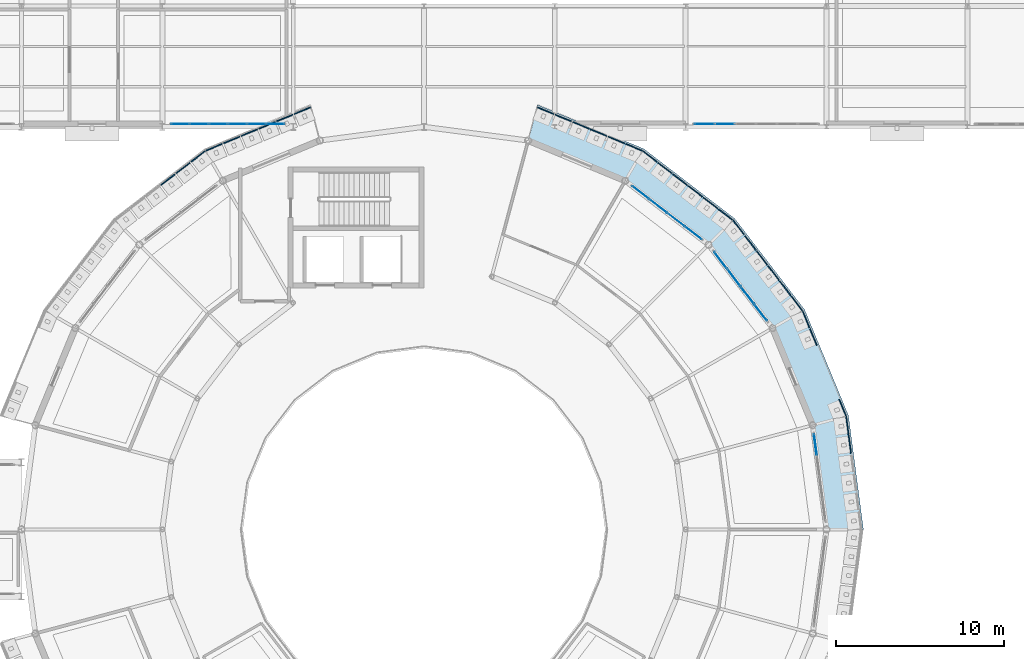
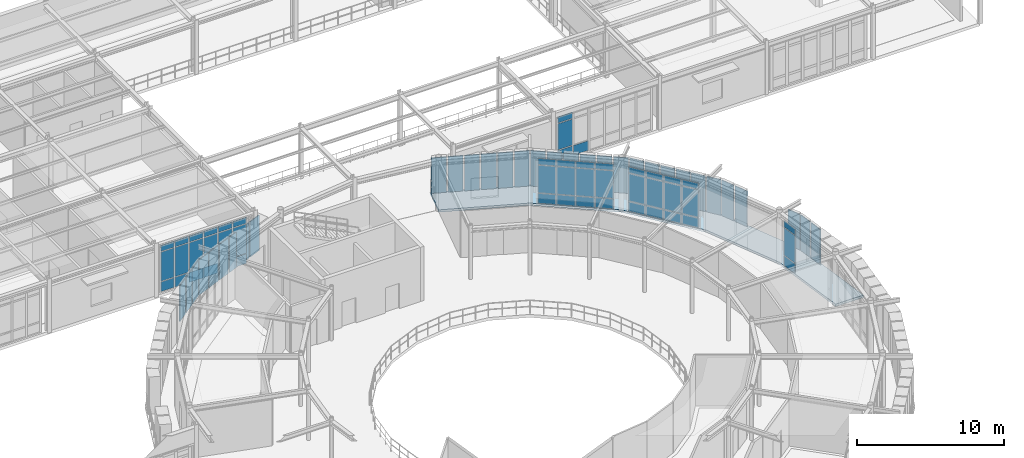
# One storey, part 74 of 106: 81 plates, 1 slab, 5 elements without a shape of their own.
"""IFC4 building model written with IfcOpenShell, lengths in metres."""

from ifc_helpers import new_model, si_unit, derived_unit, direction, frame, origin, origin_2d, place, context, subcontext, project, spatial, polyline, rectangle, outline, extrude, material, layer, layer_set, type_object, element, aggregate, save


model = new_model("IFC4")

# Units and contexts
model_context = context("Model", 3, precision=1e-05, world=origin(), true_north=direction((0.0, 1.0)))
body_context = subcontext(model_context, "Body", "Model", "MODEL_VIEW")
ifc_project = project(units=[si_unit("LENGTHUNIT", "METRE"), si_unit("AREAUNIT", "SQUARE_METRE"), si_unit("VOLUMEUNIT", "CUBIC_METRE"), si_unit("PLANEANGLEUNIT", "RADIAN"), si_unit("MASSUNIT", "GRAM", prefix="KILO"), derived_unit("THERMALTRANSMITTANCEUNIT", [(si_unit("POWERUNIT", "WATT"), 1), (si_unit("AREAUNIT", "SQUARE_METRE"), -1), (si_unit("THERMODYNAMICTEMPERATUREUNIT", "KELVIN"), -1)])], contexts=[model_context])

# Site, building, storey
site_placement = place(None, origin())
site = spatial("IfcSite", under=ifc_project, at=site_placement, CompositionType="ELEMENT")
building_placement = place(site_placement, origin())
building = spatial("IfcBuilding", under=site, at=building_placement, Name="Yasenodar Specialist Clinic", CompositionType="ELEMENT")
storey_placement = place(building_placement, frame((0.0, 0.0, 4.5)))
storey = spatial("IfcBuildingStorey", under=building, at=storey_placement, Name="L01", CompositionType="ELEMENT", Elevation=4.5)

# Curtain wall, plates
ifc_material_1 = material(Name="Bronze Anodized Aluminium and Triple Low-E Glass", Category="aluminium")
ifc_layer_1 = layer(ifc_material_1, 0.1669921875)
ifc_layer_set_1 = layer_set([ifc_layer_1], Name="Bronze Anodized Aluminium and Triple Low-E Glass")
curtain_wall_type_1 = type_object("IfcCurtainWallType", Name="CW-SYS-01", PredefinedType="USERDEFINED", material=ifc_layer_set_1)
curtain_wall_1_placement = place(storey_placement, origin())
curtain_wall_1 = element("IfcCurtainWall", 1, at=curtain_wall_1_placement, inside=storey, type_object=curtain_wall_type_1, Name="L01 Unitised Curtain Wall 016", ObjectType="UNITISED CURTAIN WALL", PredefinedType="USERDEFINED")
ifc_material_2 = material(Name="Triple Low-E Argon Glazing", Category="glass")
ifc_layer_2 = layer(ifc_material_2, 0.028076171875)
ifc_layer_set_2 = layer_set([ifc_layer_2], Name="Triple Low-E Argon Glazing")
plate_type_1 = type_object("IfcPlateType", Name="CW-PAN-1", PredefinedType="CURTAIN_PANEL", material=ifc_layer_set_2)
plate_1_placement = place(storey_placement, frame((93.9189453125, 78.879638671875, 0.06005859375), z_axis=(0.0, 0.0, 1.0), x_axis=(0.793360558574, -0.608752021844, 0.0)))
plate_1 = element("IfcPlate", 2, at=plate_1_placement, type_object=plate_type_1, Name="CW-01 panel 1.1", PredefinedType="CURTAIN_PANEL", context=body_context, shape_type="SweptSolid", body=[
    extrude(rectangle(XDim=1.236328125, YDim=0.028076171875, at=origin_2d()), origin(), (0.0, 0.0, 1.0), 0.81005859375),
])
plate_2_placement = place(storey_placement, frame((93.9189453125, 78.879638671875, 0.93017578125), z_axis=(0.0, 0.0, 1.0), x_axis=(0.793360558574, -0.608752021844, 0.0)))
plate_2 = element("IfcPlate", 3, at=plate_2_placement, type_object=plate_type_1, Name="CW-01 panel 1.2", PredefinedType="CURTAIN_PANEL", context=body_context, shape_type="SweptSolid", body=[
    extrude(rectangle(XDim=1.236328125, YDim=0.028076171875, at=origin_2d()), origin(), (0.0, 0.0, 1.0), 2.278076171875),
])
plate_3_placement = place(storey_placement, frame((93.9189453125, 78.879638671875, 3.26806640625), z_axis=(0.0, 0.0, 1.0), x_axis=(0.793360558574, -0.608752021844, 0.0)))
plate_3 = element("IfcPlate", 4, at=plate_3_placement, type_object=plate_type_1, Name="CW-01 panel 1.3", PredefinedType="CURTAIN_PANEL", context=body_context, shape_type="SweptSolid", body=[
    extrude(rectangle(XDim=1.236328125, YDim=0.028076171875, at=origin_2d()), origin(), (0.0, 0.0, 1.0), 0.510009765625),
])
plate_4_placement = place(storey_placement, frame((94.959228515625, 78.081298828125, 0.06005859375), z_axis=(0.0, 0.0, 1.0), x_axis=(0.793360558574, -0.608752021844, 0.0)))
plate_4 = element("IfcPlate", 5, at=plate_4_placement, type_object=plate_type_1, Name="CW-01 panel 2.1", PredefinedType="CURTAIN_PANEL", context=body_context, shape_type="SweptSolid", body=[
    extrude(rectangle(XDim=1.266357421875, YDim=0.028076171875, at=origin_2d()), origin(), (0.0, 0.0, 1.0), 0.81005859375),
])
plate_5_placement = place(storey_placement, frame((94.959228515625, 78.081298828125, 0.93017578125), z_axis=(0.0, 0.0, 1.0), x_axis=(0.793360558574, -0.608752021844, 0.0)))
plate_5 = element("IfcPlate", 6, at=plate_5_placement, type_object=plate_type_1, Name="CW-01 panel 2.2", PredefinedType="CURTAIN_PANEL", context=body_context, shape_type="SweptSolid", body=[
    extrude(rectangle(XDim=1.266357421875, YDim=0.028076171875, at=origin_2d()), origin(), (0.0, 0.0, 1.0), 2.278076171875),
])
plate_6_placement = place(storey_placement, frame((94.959228515625, 78.081298828125, 3.26806640625), z_axis=(0.0, 0.0, 1.0), x_axis=(0.793360558574, -0.608752021844, 0.0)))
plate_6 = element("IfcPlate", 7, at=plate_6_placement, type_object=plate_type_1, Name="CW-01 panel 2.3", PredefinedType="CURTAIN_PANEL", context=body_context, shape_type="SweptSolid", body=[
    extrude(rectangle(XDim=1.266357421875, YDim=0.028076171875, at=origin_2d()), origin(), (0.0, 0.0, 1.0), 0.510009765625),
])
plate_7_placement = place(storey_placement, frame((96.011474609375, 77.27392578125, 0.06005859375), z_axis=(0.0, 0.0, 1.0), x_axis=(0.793360558574, -0.608752021844, 0.0)))
plate_7 = element("IfcPlate", 8, at=plate_7_placement, type_object=plate_type_1, Name="CW-01 panel 3.1", PredefinedType="CURTAIN_PANEL", context=body_context, shape_type="SweptSolid", body=[
    extrude(rectangle(XDim=1.266357421875, YDim=0.028076171875, at=origin_2d()), origin(), (0.0, 0.0, 1.0), 0.81005859375),
])
plate_8_placement = place(storey_placement, frame((96.011474609375, 77.27392578125, 0.93017578125), z_axis=(0.0, 0.0, 1.0), x_axis=(0.793360558574, -0.608752021844, 0.0)))
plate_8 = element("IfcPlate", 9, at=plate_8_placement, type_object=plate_type_1, Name="CW-01 panel 3.2", PredefinedType="CURTAIN_PANEL", context=body_context, shape_type="SweptSolid", body=[
    extrude(rectangle(XDim=1.266357421875, YDim=0.028076171875, at=origin_2d()), origin(), (0.0, 0.0, 1.0), 2.278076171875),
])
plate_9_placement = place(storey_placement, frame((96.011474609375, 77.27392578125, 3.26806640625), z_axis=(0.0, 0.0, 1.0), x_axis=(0.793360558574, -0.608752021844, 0.0)))
plate_9 = element("IfcPlate", 10, at=plate_9_placement, type_object=plate_type_1, Name="CW-01 panel 3.3", PredefinedType="CURTAIN_PANEL", context=body_context, shape_type="SweptSolid", body=[
    extrude(rectangle(XDim=1.266357421875, YDim=0.028076171875, at=origin_2d()), origin(), (0.0, 0.0, 1.0), 0.510009765625),
])
plate_10_placement = place(storey_placement, frame((97.0517578125, 76.4755859375, 0.06005859375), z_axis=(0.0, 0.0, 1.0), x_axis=(0.793360558574, -0.608752021844, 0.0)))
plate_10 = element("IfcPlate", 11, at=plate_10_placement, type_object=plate_type_1, Name="CW-01 panel 4.1", PredefinedType="CURTAIN_PANEL", context=body_context, shape_type="SweptSolid", body=[
    extrude(rectangle(XDim=1.236328125, YDim=0.028076171875, at=origin_2d()), origin(), (0.0, 0.0, 1.0), 0.81005859375),
])
plate_11_placement = place(storey_placement, frame((97.0517578125, 76.4755859375, 0.93017578125), z_axis=(0.0, 0.0, 1.0), x_axis=(0.793360558574, -0.608752021844, 0.0)))
plate_11 = element("IfcPlate", 12, at=plate_11_placement, type_object=plate_type_1, Name="CW-01 panel 4.2", PredefinedType="CURTAIN_PANEL", context=body_context, shape_type="SweptSolid", body=[
    extrude(rectangle(XDim=1.236328125, YDim=0.028076171875, at=origin_2d()), origin(), (0.0, 0.0, 1.0), 2.278076171875),
])
plate_12_placement = place(storey_placement, frame((97.0517578125, 76.4755859375, 3.26806640625), z_axis=(0.0, 0.0, 1.0), x_axis=(0.793360558574, -0.608752021844, 0.0)))
plate_12 = element("IfcPlate", 13, at=plate_12_placement, type_object=plate_type_1, Name="CW-01 panel 4.3", PredefinedType="CURTAIN_PANEL", context=body_context, shape_type="SweptSolid", body=[
    extrude(rectangle(XDim=1.236328125, YDim=0.028076171875, at=origin_2d()), origin(), (0.0, 0.0, 1.0), 0.510009765625),
])
aggregate(curtain_wall_1, [plate_1, plate_2, plate_3, plate_4, plate_5, plate_6, plate_7, plate_8, plate_9, plate_10, plate_11, plate_12])

ifc_layer_3 = layer(ifc_material_1, 0.215087890625)
ifc_layer_set_3 = layer_set([ifc_layer_3], Name="Bronze Anodized Aluminium and Triple Low-E Glass")
curtain_wall_type_2 = type_object("IfcCurtainWallType", Name="CW-SYS-05", PredefinedType="USERDEFINED", material=ifc_layer_set_3)
curtain_wall_2_placement = place(storey_placement, origin())
curtain_wall_2 = element("IfcCurtainWall", 14, at=curtain_wall_2_placement, inside=storey, type_object=curtain_wall_type_2, Name="L01 Unitised Curtain Wall 152", ObjectType="UNITISED CURTAIN WALL", PredefinedType="USERDEFINED")
plate_13_placement = place(storey_placement, frame((72.135009765625, 82.969970703125, 0.06005859375), z_axis=(0.0, 0.0, 1.0), x_axis=(-1.0, 0.0, 0.0)))
plate_13 = element("IfcPlate", 15, at=plate_13_placement, type_object=plate_type_1, Name="CW-05 panel 1.1", PredefinedType="CURTAIN_PANEL", context=body_context, shape_type="SweptSolid", body=[
    extrude(rectangle(XDim=1.050048828125, YDim=0.028076171875, at=origin_2d()), origin(), (0.0, 0.0, 1.0), 0.81005859375),
])
plate_14_placement = place(storey_placement, frame((72.135009765625, 82.969970703125, 0.929931640625), z_axis=(0.0, 0.0, 1.0), x_axis=(-1.0, 0.0, 0.0)))
plate_14 = element("IfcPlate", 16, at=plate_14_placement, type_object=plate_type_1, Name="CW-05 panel 1.2", PredefinedType="CURTAIN_PANEL", context=body_context, shape_type="SweptSolid", body=[
    extrude(rectangle(XDim=1.050048828125, YDim=0.028076171875, at=origin_2d()), origin(), (0.0, 0.0, 1.0), 2.41796875),
])
plate_15_placement = place(storey_placement, frame((72.135009765625, 82.969970703125, 3.408203125), z_axis=(0.0, 0.0, 1.0), x_axis=(-1.0, 0.0, 0.0)))
plate_15 = element("IfcPlate", 17, at=plate_15_placement, type_object=plate_type_1, Name="CW-05 panel 1.3", PredefinedType="CURTAIN_PANEL", context=body_context, shape_type="SweptSolid", body=[
    extrude(rectangle(XDim=1.050048828125, YDim=0.028076171875, at=origin_2d()), origin(), (0.0, 0.0, 1.0), 0.510009765625),
])
plate_16_placement = place(storey_placement, frame((71.010009765625, 82.969970703125, 0.06005859375), z_axis=(0.0, 0.0, 1.0), x_axis=(-1.0, 0.0, 0.0)))
plate_16 = element("IfcPlate", 18, at=plate_16_placement, type_object=plate_type_1, Name="CW-05 panel 2.1", PredefinedType="CURTAIN_PANEL", context=body_context, shape_type="SweptSolid", body=[
    extrude(rectangle(XDim=1.080078125, YDim=0.028076171875, at=origin_2d()), origin(), (0.0, 0.0, 1.0), 0.81005859375),
])
plate_17_placement = place(storey_placement, frame((71.010009765625, 82.969970703125, 0.929931640625), z_axis=(0.0, 0.0, 1.0), x_axis=(-1.0, 0.0, 0.0)))
plate_17 = element("IfcPlate", 19, at=plate_17_placement, type_object=plate_type_1, Name="CW-05 panel 2.2", PredefinedType="CURTAIN_PANEL", context=body_context, shape_type="SweptSolid", body=[
    extrude(rectangle(XDim=1.080078125, YDim=0.028076171875, at=origin_2d()), origin(), (0.0, 0.0, 1.0), 2.41796875),
])
plate_18_placement = place(storey_placement, frame((71.010009765625, 82.969970703125, 3.408203125), z_axis=(0.0, 0.0, 1.0), x_axis=(-1.0, 0.0, 0.0)))
plate_18 = element("IfcPlate", 20, at=plate_18_placement, type_object=plate_type_1, Name="CW-05 panel 2.3", PredefinedType="CURTAIN_PANEL", context=body_context, shape_type="SweptSolid", body=[
    extrude(rectangle(XDim=1.080078125, YDim=0.028076171875, at=origin_2d()), origin(), (0.0, 0.0, 1.0), 0.510009765625),
])
plate_19_placement = place(storey_placement, frame((69.8701171875, 82.969970703125, 0.06005859375), z_axis=(0.0, 0.0, 1.0), x_axis=(-1.0, 0.0, 0.0)))
plate_19 = element("IfcPlate", 21, at=plate_19_placement, type_object=plate_type_1, Name="CW-05 panel 3.1", PredefinedType="CURTAIN_PANEL", context=body_context, shape_type="SweptSolid", body=[
    extrude(rectangle(XDim=1.080078125, YDim=0.028076171875, at=origin_2d()), origin(), (0.0, 0.0, 1.0), 0.81005859375),
])
plate_20_placement = place(storey_placement, frame((69.8701171875, 82.969970703125, 0.929931640625), z_axis=(0.0, 0.0, 1.0), x_axis=(-1.0, 0.0, 0.0)))
plate_20 = element("IfcPlate", 22, at=plate_20_placement, type_object=plate_type_1, Name="CW-05 panel 3.2", PredefinedType="CURTAIN_PANEL", context=body_context, shape_type="SweptSolid", body=[
    extrude(rectangle(XDim=1.080078125, YDim=0.028076171875, at=origin_2d()), origin(), (0.0, 0.0, 1.0), 2.41796875),
])
plate_21_placement = place(storey_placement, frame((69.8701171875, 82.969970703125, 3.408203125), z_axis=(0.0, 0.0, 1.0), x_axis=(-1.0, 0.0, 0.0)))
plate_21 = element("IfcPlate", 23, at=plate_21_placement, type_object=plate_type_1, Name="CW-05 panel 3.3", PredefinedType="CURTAIN_PANEL", context=body_context, shape_type="SweptSolid", body=[
    extrude(rectangle(XDim=1.080078125, YDim=0.028076171875, at=origin_2d()), origin(), (0.0, 0.0, 1.0), 0.510009765625),
])
plate_22_placement = place(storey_placement, frame((68.72998046875, 82.969970703125, 0.06005859375), z_axis=(0.0, 0.0, 1.0), x_axis=(-1.0, 0.0, 0.0)))
plate_22 = element("IfcPlate", 24, at=plate_22_placement, type_object=plate_type_1, Name="CW-05 panel 4.1", PredefinedType="CURTAIN_PANEL", context=body_context, shape_type="SweptSolid", body=[
    extrude(rectangle(XDim=1.080078125, YDim=0.028076171875, at=origin_2d()), origin(), (0.0, 0.0, 1.0), 0.81005859375),
])
plate_23_placement = place(storey_placement, frame((68.72998046875, 82.969970703125, 0.929931640625), z_axis=(0.0, 0.0, 1.0), x_axis=(-1.0, 0.0, 0.0)))
plate_23 = element("IfcPlate", 25, at=plate_23_placement, type_object=plate_type_1, Name="CW-05 panel 4.2", PredefinedType="CURTAIN_PANEL", context=body_context, shape_type="SweptSolid", body=[
    extrude(rectangle(XDim=1.080078125, YDim=0.028076171875, at=origin_2d()), origin(), (0.0, 0.0, 1.0), 2.41796875),
])
plate_24_placement = place(storey_placement, frame((68.72998046875, 82.969970703125, 3.408203125), z_axis=(0.0, 0.0, 1.0), x_axis=(-1.0, 0.0, 0.0)))
plate_24 = element("IfcPlate", 26, at=plate_24_placement, type_object=plate_type_1, Name="CW-05 panel 4.3", PredefinedType="CURTAIN_PANEL", context=body_context, shape_type="SweptSolid", body=[
    extrude(rectangle(XDim=1.080078125, YDim=0.028076171875, at=origin_2d()), origin(), (0.0, 0.0, 1.0), 0.510009765625),
])
plate_25_placement = place(storey_placement, frame((67.590087890625, 82.969970703125, 0.06005859375), z_axis=(0.0, 0.0, 1.0), x_axis=(-1.0, 0.0, 0.0)))
plate_25 = element("IfcPlate", 27, at=plate_25_placement, type_object=plate_type_1, Name="CW-05 panel 5.1", PredefinedType="CURTAIN_PANEL", context=body_context, shape_type="SweptSolid", body=[
    extrude(rectangle(XDim=1.080078125, YDim=0.028076171875, at=origin_2d()), origin(), (0.0, 0.0, 1.0), 0.81005859375),
])
plate_26_placement = place(storey_placement, frame((67.590087890625, 82.969970703125, 0.929931640625), z_axis=(0.0, 0.0, 1.0), x_axis=(-1.0, 0.0, 0.0)))
plate_26 = element("IfcPlate", 28, at=plate_26_placement, type_object=plate_type_1, Name="CW-05 panel 5.2", PredefinedType="CURTAIN_PANEL", context=body_context, shape_type="SweptSolid", body=[
    extrude(rectangle(XDim=1.080078125, YDim=0.028076171875, at=origin_2d()), origin(), (0.0, 0.0, 1.0), 2.41796875),
])
plate_27_placement = place(storey_placement, frame((67.590087890625, 82.969970703125, 3.408203125), z_axis=(0.0, 0.0, 1.0), x_axis=(-1.0, 0.0, 0.0)))
plate_27 = element("IfcPlate", 29, at=plate_27_placement, type_object=plate_type_1, Name="CW-05 panel 5.3", PredefinedType="CURTAIN_PANEL", context=body_context, shape_type="SweptSolid", body=[
    extrude(rectangle(XDim=1.080078125, YDim=0.028076171875, at=origin_2d()), origin(), (0.0, 0.0, 1.0), 0.510009765625),
])
plate_28_placement = place(storey_placement, frame((66.465087890625, 82.969970703125, 0.06005859375), z_axis=(0.0, 0.0, 1.0), x_axis=(-1.0, 0.0, 0.0)))
plate_28 = element("IfcPlate", 30, at=plate_28_placement, type_object=plate_type_1, Name="CW-05 panel 6.1", PredefinedType="CURTAIN_PANEL", context=body_context, shape_type="SweptSolid", body=[
    extrude(rectangle(XDim=1.050048828125, YDim=0.028076171875, at=origin_2d()), origin(), (0.0, 0.0, 1.0), 0.81005859375),
])
plate_29_placement = place(storey_placement, frame((66.465087890625, 82.969970703125, 0.929931640625), z_axis=(0.0, 0.0, 1.0), x_axis=(-1.0, 0.0, 0.0)))
plate_29 = element("IfcPlate", 31, at=plate_29_placement, type_object=plate_type_1, Name="CW-05 panel 6.2", PredefinedType="CURTAIN_PANEL", context=body_context, shape_type="SweptSolid", body=[
    extrude(rectangle(XDim=1.050048828125, YDim=0.028076171875, at=origin_2d()), origin(), (0.0, 0.0, 1.0), 2.41796875),
])
plate_30_placement = place(storey_placement, frame((66.465087890625, 82.969970703125, 3.408203125), z_axis=(0.0, 0.0, 1.0), x_axis=(-1.0, 0.0, 0.0)))
plate_30 = element("IfcPlate", 32, at=plate_30_placement, type_object=plate_type_1, Name="CW-05 panel 6.3", PredefinedType="CURTAIN_PANEL", context=body_context, shape_type="SweptSolid", body=[
    extrude(rectangle(XDim=1.050048828125, YDim=0.028076171875, at=origin_2d()), origin(), (0.0, 0.0, 1.0), 0.510009765625),
])
aggregate(curtain_wall_2, [plate_13, plate_14, plate_15, plate_16, plate_17, plate_18, plate_19, plate_20, plate_21, plate_22, plate_23, plate_24, plate_25, plate_26, plate_27, plate_28, plate_29, plate_30])

curtain_wall_3_placement = place(storey_placement, origin())
curtain_wall_3 = element("IfcCurtainWall", 33, at=curtain_wall_3_placement, inside=storey, type_object=curtain_wall_type_1, Name="L01 Unitised Curtain Wall 014", ObjectType="UNITISED CURTAIN WALL", PredefinedType="USERDEFINED")
ifc_layer_4 = layer(ifc_material_2, 0.0400390625)
ifc_layer_set_4 = layer_set([ifc_layer_4], Name="Triple Low-E Argon Glazing")
plate_type_2 = type_object("IfcPlateType", Name="CW-PAN-3", PredefinedType="CURTAIN_PANEL", material=ifc_layer_set_4)
plate_31_placement = place(storey_placement, frame((104.33349609375, 63.863525390625, 0.06005859375), z_axis=(0.0, 0.0, 1.0), x_axis=(0.13051156024, -0.991446787601, 0.0)))
plate_31 = element("IfcPlate", 34, at=plate_31_placement, type_object=plate_type_2, Name="CW-01 panel 1.1", PredefinedType="CURTAIN_PANEL", context=body_context, shape_type="SweptSolid", body=[
    extrude(rectangle(XDim=1.236328125, YDim=0.0400390625, at=origin_2d()), origin(), (0.0, 0.0, 1.0), 0.81005859375),
])
plate_32_placement = place(storey_placement, frame((104.33349609375, 63.863525390625, 0.93017578125), z_axis=(0.0, 0.0, 1.0), x_axis=(0.13051156024, -0.991446787601, 0.0)))
plate_32 = element("IfcPlate", 35, at=plate_32_placement, type_object=plate_type_2, Name="CW-01 panel 1.2", PredefinedType="CURTAIN_PANEL", context=body_context, shape_type="SweptSolid", body=[
    extrude(rectangle(XDim=1.236328125, YDim=0.0400390625, at=origin_2d()), origin(), (0.0, 0.0, 1.0), 2.278076171875),
])
plate_33_placement = place(storey_placement, frame((104.33349609375, 63.863525390625, 3.26806640625), z_axis=(0.0, 0.0, 1.0), x_axis=(0.13051156024, -0.991446787601, 0.0)))
plate_33 = element("IfcPlate", 36, at=plate_33_placement, type_object=plate_type_2, Name="CW-01 panel 1.3", PredefinedType="CURTAIN_PANEL", context=body_context, shape_type="SweptSolid", body=[
    extrude(rectangle(XDim=1.236328125, YDim=0.0400390625, at=origin_2d()), origin(), (0.0, 0.0, 1.0), 0.510009765625),
])
aggregate(curtain_wall_3, [plate_31, plate_32, plate_33])

curtain_wall_4_placement = place(storey_placement, origin())
curtain_wall_4 = element("IfcCurtainWall", 37, at=curtain_wall_4_placement, inside=storey, type_object=curtain_wall_type_1, Name="L01 Unitised Curtain Wall 015", ObjectType="UNITISED CURTAIN WALL", PredefinedType="USERDEFINED")
ifc_layer_5 = layer(ifc_material_2, 0.0458984375)
ifc_layer_set_5 = layer_set([ifc_layer_5], Name="Triple Low-E Argon Glazing")
plate_type_3 = type_object("IfcPlateType", Name="CW-PAN-4", PredefinedType="CURTAIN_PANEL", material=ifc_layer_set_5)
plate_34_placement = place(storey_placement, frame((98.677978515625, 74.848876953125, 0.074951171875), z_axis=(0.0, 0.0, 1.0), x_axis=(0.608752021844, -0.793360558574, 0.0)))
plate_34 = element("IfcPlate", 38, at=plate_34_placement, type_object=plate_type_3, Name="CW-01 panel 1.1", PredefinedType="CURTAIN_PANEL", context=body_context, shape_type="SweptSolid", body=[
    extrude(rectangle(XDim=1.2138671875, YDim=0.0458984375, at=origin_2d()), origin(), (0.0, 0.0, 1.0), 0.78759765625),
])
plate_35_placement = place(storey_placement, frame((98.677978515625, 74.848876953125, 0.9375), z_axis=(0.0, 0.0, 1.0), x_axis=(0.608752021844, -0.793360558574, 0.0)))
plate_35 = element("IfcPlate", 39, at=plate_35_placement, type_object=plate_type_3, Name="CW-01 panel 1.2", PredefinedType="CURTAIN_PANEL", context=body_context, shape_type="SweptSolid", body=[
    extrude(rectangle(XDim=1.2138671875, YDim=0.0458984375, at=origin_2d()), origin(), (0.0, 0.0, 1.0), 2.262939453125),
])
plate_36_placement = place(storey_placement, frame((98.677978515625, 74.848876953125, 3.275390625), z_axis=(0.0, 0.0, 1.0), x_axis=(0.608752021844, -0.793360558574, 0.0)))
plate_36 = element("IfcPlate", 40, at=plate_36_placement, type_object=plate_type_3, Name="CW-01 panel 1.3", PredefinedType="CURTAIN_PANEL", context=body_context, shape_type="SweptSolid", body=[
    extrude(rectangle(XDim=1.2138671875, YDim=0.0458984375, at=origin_2d()), origin(), (0.0, 0.0, 1.0), 0.487548828125),
])
plate_37_placement = place(storey_placement, frame((99.473876953125, 73.8115234375, 0.074951171875), z_axis=(0.0, 0.0, 1.0), x_axis=(0.608752021844, -0.793360558574, 0.0)))
plate_37 = element("IfcPlate", 41, at=plate_37_placement, type_object=plate_type_3, Name="CW-01 panel 2.1", PredefinedType="CURTAIN_PANEL", context=body_context, shape_type="SweptSolid", body=[
    extrude(rectangle(XDim=1.251220703125, YDim=0.0458984375, at=origin_2d()), origin(), (0.0, 0.0, 1.0), 0.78759765625),
])
plate_38_placement = place(storey_placement, frame((99.473876953125, 73.8115234375, 0.9375), z_axis=(0.0, 0.0, 1.0), x_axis=(0.608752021844, -0.793360558574, 0.0)))
plate_38 = element("IfcPlate", 42, at=plate_38_placement, type_object=plate_type_3, Name="CW-01 panel 2.2", PredefinedType="CURTAIN_PANEL", context=body_context, shape_type="SweptSolid", body=[
    extrude(rectangle(XDim=1.251220703125, YDim=0.0458984375, at=origin_2d()), origin(), (0.0, 0.0, 1.0), 2.262939453125),
])
plate_39_placement = place(storey_placement, frame((99.473876953125, 73.8115234375, 3.275390625), z_axis=(0.0, 0.0, 1.0), x_axis=(0.608752021844, -0.793360558574, 0.0)))
plate_39 = element("IfcPlate", 43, at=plate_39_placement, type_object=plate_type_3, Name="CW-01 panel 2.3", PredefinedType="CURTAIN_PANEL", context=body_context, shape_type="SweptSolid", body=[
    extrude(rectangle(XDim=1.251220703125, YDim=0.0458984375, at=origin_2d()), origin(), (0.0, 0.0, 1.0), 0.487548828125),
])
plate_40_placement = place(storey_placement, frame((100.28125, 72.75927734375, 0.074951171875), z_axis=(0.0, 0.0, 1.0), x_axis=(0.608752021844, -0.793360558574, 0.0)))
plate_40 = element("IfcPlate", 44, at=plate_40_placement, type_object=plate_type_3, Name="CW-01 panel 3.1", PredefinedType="CURTAIN_PANEL", context=body_context, shape_type="SweptSolid", body=[
    extrude(rectangle(XDim=1.251220703125, YDim=0.0458984375, at=origin_2d()), origin(), (0.0, 0.0, 1.0), 0.78759765625),
])
plate_41_placement = place(storey_placement, frame((100.28125, 72.75927734375, 0.9375), z_axis=(0.0, 0.0, 1.0), x_axis=(0.608752021844, -0.793360558574, 0.0)))
plate_41 = element("IfcPlate", 45, at=plate_41_placement, type_object=plate_type_3, Name="CW-01 panel 3.2", PredefinedType="CURTAIN_PANEL", context=body_context, shape_type="SweptSolid", body=[
    extrude(rectangle(XDim=1.251220703125, YDim=0.0458984375, at=origin_2d()), origin(), (0.0, 0.0, 1.0), 2.262939453125),
])
plate_42_placement = place(storey_placement, frame((100.28125, 72.75927734375, 3.275390625), z_axis=(0.0, 0.0, 1.0), x_axis=(0.608752021844, -0.793360558574, 0.0)))
plate_42 = element("IfcPlate", 46, at=plate_42_placement, type_object=plate_type_3, Name="CW-01 panel 3.3", PredefinedType="CURTAIN_PANEL", context=body_context, shape_type="SweptSolid", body=[
    extrude(rectangle(XDim=1.251220703125, YDim=0.0458984375, at=origin_2d()), origin(), (0.0, 0.0, 1.0), 0.487548828125),
])
plate_43_placement = place(storey_placement, frame((101.077392578125, 71.7216796875, 0.074951171875), z_axis=(0.0, 0.0, 1.0), x_axis=(0.608752021844, -0.793360558574, 0.0)))
plate_43 = element("IfcPlate", 47, at=plate_43_placement, type_object=plate_type_3, Name="CW-01 panel 4.1", PredefinedType="CURTAIN_PANEL", context=body_context, shape_type="SweptSolid", body=[
    extrude(rectangle(XDim=1.2138671875, YDim=0.0458984375, at=origin_2d()), origin(), (0.0, 0.0, 1.0), 0.78759765625),
])
plate_44_placement = place(storey_placement, frame((101.077392578125, 71.7216796875, 0.9375), z_axis=(0.0, 0.0, 1.0), x_axis=(0.608752021844, -0.793360558574, 0.0)))
plate_44 = element("IfcPlate", 48, at=plate_44_placement, type_object=plate_type_3, Name="CW-01 panel 4.2", PredefinedType="CURTAIN_PANEL", context=body_context, shape_type="SweptSolid", body=[
    extrude(rectangle(XDim=1.2138671875, YDim=0.0458984375, at=origin_2d()), origin(), (0.0, 0.0, 1.0), 2.262939453125),
])
plate_45_placement = place(storey_placement, frame((101.077392578125, 71.7216796875, 3.275390625), z_axis=(0.0, 0.0, 1.0), x_axis=(0.608752021844, -0.793360558574, 0.0)))
plate_45 = element("IfcPlate", 49, at=plate_45_placement, type_object=plate_type_3, Name="CW-01 panel 4.3", PredefinedType="CURTAIN_PANEL", context=body_context, shape_type="SweptSolid", body=[
    extrude(rectangle(XDim=1.2138671875, YDim=0.0458984375, at=origin_2d()), origin(), (0.0, 0.0, 1.0), 0.487548828125),
])
aggregate(curtain_wall_4, [plate_34, plate_35, plate_36, plate_37, plate_38, plate_39, plate_40, plate_41, plate_42, plate_43, plate_44, plate_45])

curtain_wall_5_placement = place(storey_placement, origin())
curtain_wall_5 = element("IfcCurtainWall", 50, at=curtain_wall_5_placement, inside=storey, type_object=curtain_wall_type_2, Name="L01 Unitised Curtain Wall 151", ObjectType="UNITISED CURTAIN WALL", PredefinedType="USERDEFINED")
plate_46_placement = place(storey_placement, frame((98.93994140625, 82.969970703125, 0.06005859375), z_axis=(0.0, 0.0, 1.0), x_axis=(-1.0, 0.0, 0.0)))
plate_46 = element("IfcPlate", 51, at=plate_46_placement, type_object=plate_type_3, Name="CW-05 panel 5.1", PredefinedType="CURTAIN_PANEL", context=body_context, shape_type="SweptSolid", body=[
    extrude(rectangle(XDim=1.179931640625, YDim=0.0458984375, at=origin_2d()), origin(), (0.0, 0.0, 1.0), 0.81005859375),
])
plate_47_placement = place(storey_placement, frame((97.715087890625, 82.969970703125, 0.06005859375), z_axis=(0.0, 0.0, 1.0), x_axis=(-1.0, 0.0, 0.0)))
plate_47 = element("IfcPlate", 52, at=plate_47_placement, type_object=plate_type_3, Name="CW-05 panel 6.1", PredefinedType="CURTAIN_PANEL", context=body_context, shape_type="SweptSolid", body=[
    extrude(rectangle(XDim=1.14990234375, YDim=0.0458984375, at=origin_2d()), origin(), (0.0, 0.0, 1.0), 0.81005859375),
])
plate_48_placement = place(storey_placement, frame((97.715087890625, 82.969970703125, 0.929931640625), z_axis=(0.0, 0.0, 1.0), x_axis=(-1.0, 0.0, 0.0)))
plate_48 = element("IfcPlate", 53, at=plate_48_placement, type_object=plate_type_3, Name="CW-05 panel 6.2", PredefinedType="CURTAIN_PANEL", context=body_context, shape_type="SweptSolid", body=[
    extrude(rectangle(XDim=1.14990234375, YDim=0.0458984375, at=origin_2d()), origin(), (0.0, 0.0, 1.0), 2.16796875),
])
plate_49_placement = place(storey_placement, frame((97.715087890625, 82.969970703125, 3.158203125), z_axis=(0.0, 0.0, 1.0), x_axis=(-1.0, 0.0, 0.0)))
plate_49 = element("IfcPlate", 54, at=plate_49_placement, type_object=plate_type_3, Name="CW-05 panel 6.3", PredefinedType="CURTAIN_PANEL", context=body_context, shape_type="SweptSolid", body=[
    extrude(rectangle(XDim=1.14990234375, YDim=0.0458984375, at=origin_2d()), origin(), (0.0, 0.0, 1.0), 0.510009765625),
])
aggregate(curtain_wall_5, [plate_46, plate_47, plate_48, plate_49])

# Plates
ifc_material_3 = material(Name="Thermally Modified Larch and Bronze Girih Jali Screen")
ifc_layer_6 = layer(ifc_material_3, 0.06494140625)
ifc_layer_set_6 = layer_set([ifc_layer_6], Name="Thermally Modified Larch and Bronze Girih Jali Screen")
plate_type_4 = type_object("IfcPlateType", Name="PL-JALI-850", PredefinedType="USERDEFINED", material=ifc_layer_set_6)
for number, where, z_axis, x_axis, name in (
    (55, (106.3916015625, 63.86767578125, 0.0048828125), (0.0, 0.0, 1.0), (-0.130519185854, 0.991445783754, 0.0), "L01 Sliding Timber-Bronze Jali Shutter Screen 0005"),
    (56, (106.242919921875, 64.997802734375, 0.0048828125), (0.0, 0.0, 1.0), (-0.130519185854, 0.991445783754, 0.0), "L01 Sliding Timber-Bronze Jali Shutter Screen 0006"),
    (57, (105.959716796875, 66.05419921875, 0.0048828125), (0.0, 0.0, 1.0), (-0.382686667195, 0.923878192594, 0.0), "L01 Sliding Timber-Bronze Jali Shutter Screen 0007"),
    (58, (104.21484375, 70.2666015625, 0.0048828125), (0.0, 0.0, 1.0), (-0.382686667195, 0.923878192594, 0.0), "L01 Sliding Timber-Bronze Jali Shutter Screen 0008"),
    (59, (103.77880859375, 71.31982421875, 0.0048828125), (0.0, 0.0, 1.0), (-0.382686667195, 0.923878192594, 0.0), "L01 Sliding Timber-Bronze Jali Shutter Screen 0009"),
    (60, (103.23193359375, 72.26708984375, 0.0048828125), (0.0, 0.0, 1.0), (-0.608764217148, 0.793351200869, 0.0), "L01 Sliding Timber-Bronze Jali Shutter Screen 0010"),
    (61, (102.537841796875, 73.17138671875, 0.0048828125), (0.0, 0.0, 1.0), (-0.608764217148, 0.793351200869, 0.0), "L01 Sliding Timber-Bronze Jali Shutter Screen 0011"),
    (62, (101.843994140625, 74.07568359375, 0.0048828125), (0.0, 0.0, 1.0), (-0.608764217148, 0.793351200869, 0.0), "L01 Sliding Timber-Bronze Jali Shutter Screen 0012"),
    (63, (101.14990234375, 74.97998046875, 0.0048828125), (0.0, 0.0, 1.0), (-0.608764217148, 0.793351200869, 0.0), "L01 Sliding Timber-Bronze Jali Shutter Screen 0013"),
    (64, (100.4560546875, 75.884521484375, 0.0048828125), (0.0, 0.0, 1.0), (-0.608764217148, 0.793351200869, 0.0), "L01 Sliding Timber-Bronze Jali Shutter Screen 0014"),
    (65, (99.76220703125, 76.788818359375, 0.0048828125), (0.0, 0.0, 1.0), (-0.608764217148, 0.793351200869, 0.0), "L01 Sliding Timber-Bronze Jali Shutter Screen 0015"),
    (66, (98.98876953125, 77.56201171875, 0.0048828125), (0.0, 0.0, 1.0), (-0.793351200869, 0.608764217148, 0.0), "L01 Sliding Timber-Bronze Jali Shutter Screen 0016"),
    (67, (98.08447265625, 78.256103515625, 0.0048828125), (0.0, 0.0, 1.0), (-0.793351200869, 0.608764217148, 0.0), "L01 Sliding Timber-Bronze Jali Shutter Screen 0017"),
    (68, (97.18017578125, 78.949951171875, 0.0048828125), (0.0, 0.0, 1.0), (-0.793351200869, 0.608764217148, 0.0), "L01 Sliding Timber-Bronze Jali Shutter Screen 0018"),
    (69, (96.275634765625, 79.64404296875, 0.0048828125), (0.0, 0.0, 1.0), (-0.793351200869, 0.608764217148, 0.0), "L01 Sliding Timber-Bronze Jali Shutter Screen 0019"),
    (70, (95.371337890625, 80.337890625, 0.0048828125), (0.0, 0.0, 1.0), (-0.793351200869, 0.608764217148, 0.0), "L01 Sliding Timber-Bronze Jali Shutter Screen 0020"),
    (71, (94.467041015625, 81.031982421875, 0.0048828125), (0.0, 0.0, 1.0), (-0.793351200869, 0.608764217148, 0.0), "L01 Sliding Timber-Bronze Jali Shutter Screen 0021"),
    (72, (93.519775390625, 81.57861328125, 0.0048828125), (0.0, 0.0, 1.0), (-0.923878192594, 0.382686667195, 0.0), "L01 Sliding Timber-Bronze Jali Shutter Screen 0022"),
    (73, (92.466796875, 82.014892578125, 0.0048828125), (0.0, 0.0, 1.0), (-0.923878192594, 0.382686667195, 0.0), "L01 Sliding Timber-Bronze Jali Shutter Screen 0023"),
    (74, (91.41357421875, 82.451171875, 0.0048828125), (0.0, 0.0, 1.0), (-0.923878192594, 0.382686667195, 0.0), "L01 Sliding Timber-Bronze Jali Shutter Screen 0024"),
    (75, (90.3603515625, 82.887451171875, 0.0048828125), (0.0, 0.0, 1.0), (-0.923878192594, 0.382686667195, 0.0), "L01 Sliding Timber-Bronze Jali Shutter Screen 0025"),
    (76, (89.30712890625, 83.323486328125, 0.0048828125), (0.0, 0.0, 1.0), (-0.923878192594, 0.382686667195, 0.0), "L01 Sliding Timber-Bronze Jali Shutter Screen 0026"),
    (77, (88.254150390625, 83.759765625, 0.0048828125), (0.0, 0.0, 1.0), (-0.923878192594, 0.382686667195, 0.0), "L01 Sliding Timber-Bronze Jali Shutter Screen 0027"),
    (78, (73.745849609375, 83.759765625, 0.0048828125), (0.0, 0.0, 1.0), (-0.923878192594, -0.382686667195, 0.0), "L01 Sliding Timber-Bronze Jali Shutter Screen 0028"),
    (79, (72.69287109375, 83.323486328125, 0.0048828125), (0.0, 0.0, 1.0), (-0.923878192594, -0.382686667195, 0.0), "L01 Sliding Timber-Bronze Jali Shutter Screen 0029"),
    (80, (71.6396484375, 82.887451171875, 0.0048828125), (0.0, 0.0, 1.0), (-0.923878192594, -0.382686667195, 0.0), "L01 Sliding Timber-Bronze Jali Shutter Screen 0030"),
    (81, (70.58642578125, 82.451171875, 0.0048828125), (0.0, 0.0, 1.0), (-0.923878192594, -0.382686667195, 0.0), "L01 Sliding Timber-Bronze Jali Shutter Screen 0031"),
    (82, (69.533203125, 82.014892578125, 0.0048828125), (0.0, 0.0, 1.0), (-0.923878192594, -0.382686667195, 0.0), "L01 Sliding Timber-Bronze Jali Shutter Screen 0032"),
    (83, (68.480224609375, 81.57861328125, 0.0048828125), (0.0, 0.0, 1.0), (-0.923878192594, -0.382686667195, 0.0), "L01 Sliding Timber-Bronze Jali Shutter Screen 0033"),
    (84, (67.532958984375, 81.031982421875, 0.0048828125), (0.0, 0.0, 1.0), (-0.793351200869, -0.608764217148, 0.0), "L01 Sliding Timber-Bronze Jali Shutter Screen 0034"),
    (85, (66.628662109375, 80.337890625, 0.0048828125), (0.0, 0.0, 1.0), (-0.793351200869, -0.608764217148, 0.0), "L01 Sliding Timber-Bronze Jali Shutter Screen 0035"),
    (86, (65.724365234375, 79.64404296875, 0.0048828125), (0.0, 0.0, 1.0), (-0.793351200869, -0.608764217148, 0.0), "L01 Sliding Timber-Bronze Jali Shutter Screen 0036"),
):
    element("IfcPlate", number, at=place(storey_placement, frame(where, z_axis=z_axis, x_axis=x_axis)), inside=storey, type_object=plate_type_4, Name=name, ObjectType="SCREEN_PANEL", PredefinedType="USERDEFINED", context=body_context, shape_type="SweptSolid", body=[
        extrude(rectangle(XDim=1.0400390625, YDim=0.06494140625, at=origin_2d()), origin(), (0.0, 0.0, 1.0), 2.949951171875),
    ])

# Slab
ifc_material_4 = material(Name="Concrete C30/37", Category="concrete")
ifc_layer_7 = layer(ifc_material_4, 0.195068359375)
ifc_layer_set_7 = layer_set([ifc_layer_7], Name="Concrete C30/37")
slab_type = type_object("IfcSlabType", Name="SLB-BALC-195", PredefinedType="FLOOR", material=ifc_layer_set_7)
slab_placement = place(storey_placement, frame((0.0, 0.0, -0.195068359375)))
element("IfcSlab", 87, at=slab_placement, inside=storey, type_object=slab_type, Name="L01 Drum V1 Balcony Sector 1", PredefinedType="FLOOR", context=body_context, shape_type="SweptSolid", body=[
    extrude(outline(polyline([(87.781005859375, 84.107421875), (94.10009765625, 81.489990234375), (99.526123046875, 77.326171875), (103.68994140625, 71.89990234375), (106.307373046875, 65.5810546875), (107.199951171875, 58.800048828125), (105.01513671875, 58.800048828125), (104.19677734375, 65.015625), (101.797607421875, 70.8076171875), (97.981201171875, 75.78125), (93.007568359375, 79.59765625), (87.215576171875, 81.996826171875), (87.781005859375, 84.107421875)])), origin(), (0.0, 0.0, 1.0), 0.195068359375),
])

save(model, "model.ifc")
